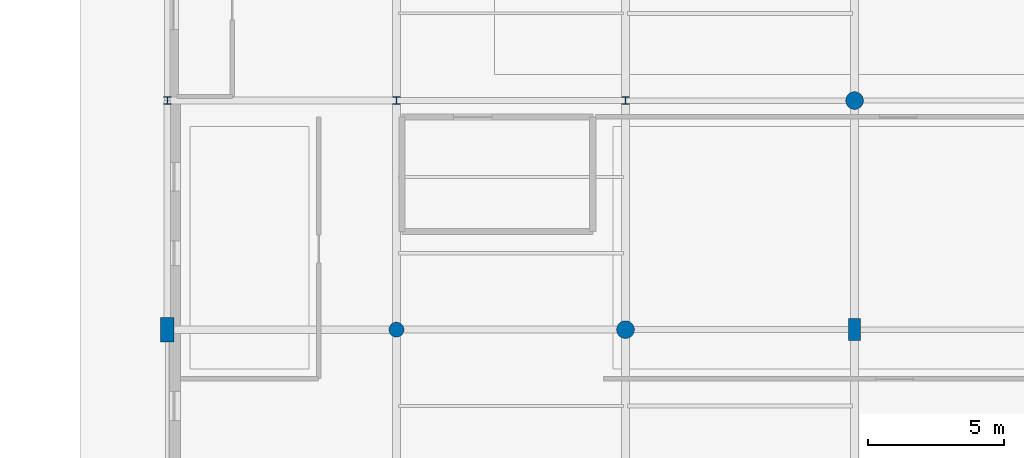
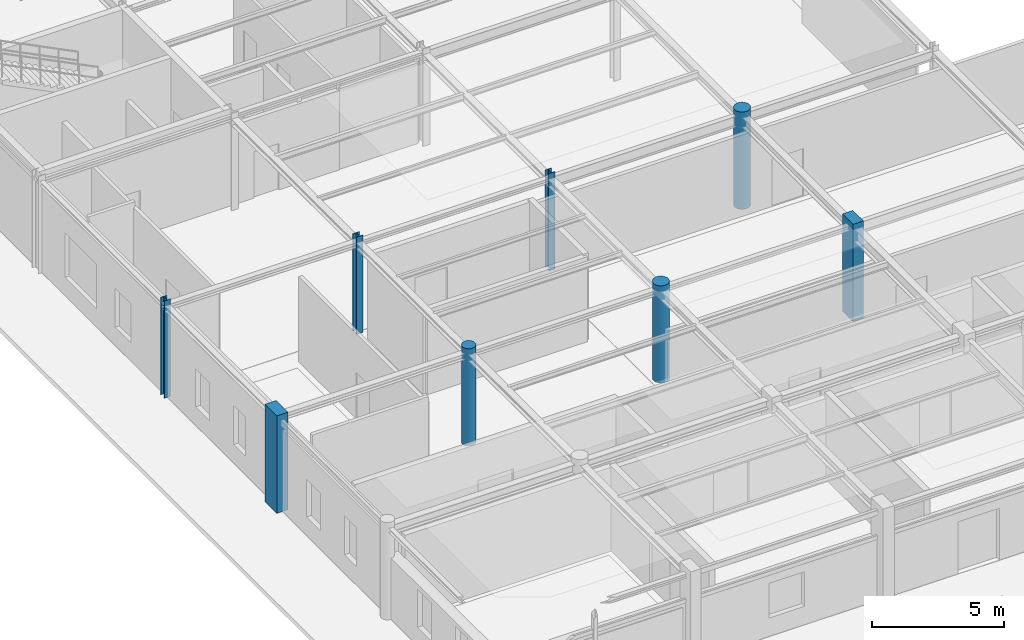
# One storey, part 3 of 101: 8 columns.
"""IFC4 building model written with IfcOpenShell, lengths in metres."""

import ifcopenshell
import ifcopenshell.guid

model = None  # the IFC model being written
_history = None  # IfcOwnerHistory: only IFC2X3 demands one
_inside = {}  # id of a spatial element -> (the spatial element, [elements in it])
_under = {}  # id of a project, library or spatial element -> (it, [spatial elements below it])
_declared = {}  # id of a project -> (the project, [libraries it declares])
_typed = {}  # id of a type object -> (the type object, [elements of that type])
_made_of = {}  # id of a material, layer set ... -> (it, [elements and type objects made of it])


def new_model(schema):
    """Start an empty IFC model of exactly this schema.

    Asked for "IFC4X3", IfcOpenShell would pick the latest addendum, in which some entities
    have other attributes; the version numbers below select the first issue.
    IFC2X3 requires an IfcOwnerHistory on every rooted entity: one is made here for all.
    """
    global model, _history
    if schema == "IFC4X3":
        model = ifcopenshell.file(schema_version=(4, 3, 0, 0))
    else:
        model = ifcopenshell.file(schema=schema)
    _inside.clear()
    _under.clear()
    _declared.clear()
    _typed.clear()
    _made_of.clear()
    _history = None
    if model.schema == "IFC2X3":
        org = make("IfcOrganization", Name="unknown")
        user = make(
            "IfcPersonAndOrganization",
            ThePerson=make("IfcPerson", FamilyName="unknown"),
            TheOrganization=org,
        )
        app = make(
            "IfcApplication",
            ApplicationDeveloper=org,
            Version="unknown",
            ApplicationFullName="unknown",
            ApplicationIdentifier="unknown",
        )
        _history = make(
            "IfcOwnerHistory",
            OwningUser=user,
            OwningApplication=app,
            ChangeAction="ADDED",
            CreationDate=0,
        )
    return model


def make(cls, **values):
    """One entity of the class cls with the attributes given. An attribute that is None is left unset."""
    return model.create_entity(
        cls, **{name: value for name, value in values.items() if value is not None}
    )


def rooted(cls, **values):
    """An entity with a GlobalId (a new one), such as an element, a storey or a relation."""
    return make(cls, GlobalId=ifcopenshell.guid.new(), OwnerHistory=_history, **values)


def si_unit(unit_type, name, prefix=None):
    """IfcSIUnit, for example si_unit("LENGTHUNIT", "METRE", prefix="MILLI")."""
    return make("IfcSIUnit", UnitType=unit_type, Prefix=prefix, Name=name)


def derived_unit(unit_type, elements):
    """IfcDerivedUnit: a product of units, each with its exponent."""
    return make(
        "IfcDerivedUnit",
        Elements=[
            make("IfcDerivedUnitElement", Unit=unit, Exponent=power)
            for unit, power in elements
        ],
        UnitType=unit_type,
    )


def assignment(units):
    """IfcUnitAssignment: the units of a project."""
    return None if units is None else make("IfcUnitAssignment", Units=units)


def point(xyz):
    """IfcCartesianPoint."""
    return None if xyz is None else make("IfcCartesianPoint", Coordinates=xyz)


def direction(xyz):
    """IfcDirection."""
    return None if xyz is None else make("IfcDirection", DirectionRatios=xyz)


def frame(location, z_axis=None, x_axis=None):
    """IfcAxis2Placement3D, a coordinate frame: its origin and axes. An axis left out is left unset."""
    return make(
        "IfcAxis2Placement3D",
        Location=point(location),
        Axis=direction(z_axis),
        RefDirection=direction(x_axis),
    )


def frame_2d(location, x_axis=None):
    """IfcAxis2Placement2D, a coordinate frame in the plane: its origin and x axis."""
    return make(
        "IfcAxis2Placement2D", Location=point(location), RefDirection=direction(x_axis)
    )


def origin():
    """The frame at (0, 0, 0) with its axes left unset."""
    return frame((0.0, 0.0, 0.0))


def origin_2d():
    """The frame at (0, 0) in the plane with its x axis left unset."""
    return frame_2d((0.0, 0.0))


def place(relative_to, where):
    """IfcLocalPlacement: puts the frame where relative to a parent placement (None: the world)."""
    return make(
        "IfcLocalPlacement", PlacementRelTo=relative_to, RelativePlacement=where
    )


def context(
    kind, dimensions, precision=None, world=None, true_north=None, identifier=None
):
    """IfcGeometricRepresentationContext, for example the 3D "Model" context."""
    return make(
        "IfcGeometricRepresentationContext",
        ContextIdentifier=identifier,
        ContextType=kind,
        CoordinateSpaceDimension=dimensions,
        Precision=precision,
        WorldCoordinateSystem=world,
        TrueNorth=true_north,
    )


def subcontext(parent, identifier, kind, view, scale=None):
    """IfcGeometricRepresentationSubContext, for example "Body" below "Model"."""
    return make(
        "IfcGeometricRepresentationSubContext",
        ContextIdentifier=identifier,
        ContextType=kind,
        ParentContext=parent,
        TargetScale=scale,
        TargetView=view,
    )


def project(units=None, contexts=None):
    """IfcProject with its units and contexts."""
    return rooted(
        "IfcProject",
        Name="project",
        RepresentationContexts=contexts,
        UnitsInContext=assignment(units),
    )


def spatial(cls, under=None, at=None, **own):
    """A site, building, storey or space (cls), placed at a placement, below another one or the project."""
    s = rooted(cls, ObjectPlacement=at, **own)
    if under is not None:
        _under.setdefault(under.id(), (under, []))[1].append(s)
    return s


def profile(cls, at=None, kind="AREA", **sizes):
    """A parametric profile (cls). Its sizes go by their IFC names, for example OverallWidth=200.0."""
    return make(cls, ProfileType=kind, Position=at, **sizes)


def rectangle(**sizes):
    """IfcRectangleProfileDef."""
    return profile("IfcRectangleProfileDef", **sizes)


def circle(**sizes):
    """IfcCircleProfileDef."""
    return profile("IfcCircleProfileDef", **sizes)


def i_section(**sizes):
    """IfcIShapeProfileDef."""
    return profile("IfcIShapeProfileDef", **sizes)


def extrude(swept, where, along, depth):
    """IfcExtrudedAreaSolid: the profile swept, set in the frame where, extruded along a direction by depth."""
    return make(
        "IfcExtrudedAreaSolid",
        SweptArea=swept,
        Position=where,
        ExtrudedDirection=direction(along),
        Depth=depth,
    )


def shape(context_of_items, identifier, shape_type, items):
    """IfcShapeRepresentation: the items that make up one representation, for example the "Body"."""
    return make(
        "IfcShapeRepresentation",
        ContextOfItems=context_of_items,
        RepresentationIdentifier=identifier,
        RepresentationType=shape_type,
        Items=items,
    )


def material(Name=None, Category=None):
    """IfcMaterial."""
    return make("IfcMaterial", Name=Name, Category=Category)


def material_profile(
    of_material, cross_section, Name=None, Category=None, Priority=None
):
    """IfcMaterialProfile: a cross section and its material."""
    return make(
        "IfcMaterialProfile",
        Name=Name,
        Material=of_material,
        Profile=cross_section,
        Priority=Priority,
        Category=Category,
    )


def profile_set(profiles, Name=None, composite=None):
    """IfcMaterialProfileSet."""
    return make(
        "IfcMaterialProfileSet",
        Name=Name,
        MaterialProfiles=profiles,
        CompositeProfile=composite,
    )


def made_of(thing, what):
    """Note that an element or type object is made of a material, layer set ...; save() writes the relation."""
    if what is not None:
        _made_of.setdefault(what.id(), (what, []))[1].append(thing)
    return thing


def type_object(cls, material=None, **own):
    """A type object (cls), such as IfcWallType, which elements share."""
    return made_of(rooted(cls, **own), material)


def element(
    cls,
    number,
    at=None,
    inside=None,
    cuts=None,
    type_object=None,
    material=None,
    context=None,
    identifier="Body",
    shape_type=None,
    held_by="IfcProductDefinitionShape",
    body=None,
    shapes=None,
    **own,
):
    """One element of the class cls, such as IfcWall. Its Tag is "e" and its number.

    at: its placement. inside: the storey or other place that contains it. cuts: it is an
    opening in that element (IfcRelVoidsElement). A single representation is given by context,
    identifier, shape_type and body (its items); several are given by shapes. held_by: the class
    of the entity that holds the representations. save() writes the other relations.
    """
    e = rooted(cls, Tag="e%d" % number, ObjectPlacement=at, **own)
    if body is not None:
        shapes = [shape(context, identifier, shape_type, body)]
    if shapes is not None:
        e.Representation = make(held_by, Representations=shapes)
    if inside is not None:
        _inside.setdefault(inside.id(), (inside, []))[1].append(e)
    if cuts is not None:
        rooted(
            "IfcRelVoidsElement", RelatingBuildingElement=cuts, RelatedOpeningElement=e
        )
    if type_object is not None:
        _typed.setdefault(type_object.id(), (type_object, []))[1].append(e)
    return made_of(e, material)


def aggregate(whole, parts):
    """IfcRelAggregates: a whole, such as a stair, and the parts it consists of."""
    return rooted("IfcRelAggregates", RelatingObject=whole, RelatedObjects=parts)


def save(model, path):
    """Write the relations noted so far, then the file.

    IfcRelAggregates (storeys below a building ...), IfcRelContainedInSpatialStructure (elements
    in a storey), IfcRelDefinesByType, IfcRelAssociatesMaterial and IfcRelDeclares: one each for
    every whole, place, type object, material and project.
    """
    for whole, parts in _under.values():
        aggregate(whole, parts)
    for where, things in _inside.values():
        rooted(
            "IfcRelContainedInSpatialStructure",
            RelatedElements=things,
            RelatingStructure=where,
        )
    for kind, things in _typed.values():
        rooted("IfcRelDefinesByType", RelatedObjects=things, RelatingType=kind)
    for what, things in _made_of.values():
        rooted("IfcRelAssociatesMaterial", RelatedObjects=things, RelatingMaterial=what)
    for by, libraries in _declared.values():
        rooted("IfcRelDeclares", RelatingContext=by, RelatedDefinitions=libraries)
    model.write(path)


model = new_model("IFC4")

# Units and contexts
model_context = context("Model", 3, precision=1e-05, world=origin(), true_north=direction((0.0, 1.0)))
body_context = subcontext(model_context, "Body", "Model", "MODEL_VIEW")
ifc_project = project(units=[si_unit("LENGTHUNIT", "METRE"), si_unit("AREAUNIT", "SQUARE_METRE"), si_unit("VOLUMEUNIT", "CUBIC_METRE"), si_unit("PLANEANGLEUNIT", "RADIAN"), si_unit("MASSUNIT", "GRAM", prefix="KILO"), derived_unit("THERMALTRANSMITTANCEUNIT", [(si_unit("POWERUNIT", "WATT"), 1), (si_unit("AREAUNIT", "SQUARE_METRE"), -1), (si_unit("THERMODYNAMICTEMPERATUREUNIT", "KELVIN"), -1)])], contexts=[model_context])

# Site, building, storey
site_placement = place(None, origin())
site = spatial("IfcSite", under=ifc_project, at=site_placement, CompositionType="ELEMENT")
building_placement = place(site_placement, origin())
building = spatial("IfcBuilding", under=site, at=building_placement, Name="Yasenodar Specialist Clinic", CompositionType="ELEMENT")
storey_placement = place(building_placement, origin())
storey = spatial("IfcBuildingStorey", under=building, at=storey_placement, Name="L00", CompositionType="ELEMENT", Elevation=0.0)

# Columns
ifc_material_1 = material(Name="Concrete C35/45", Category="concrete")
ifc_material_profile_1 = material_profile(ifc_material_1, rectangle(XDim=0.449951171875, YDim=0.800048828125, at=origin_2d()), Name="RC 450x800")
ifc_profile_set_1 = profile_set([ifc_material_profile_1], Name="Concrete C35/45")
column_type_1 = type_object("IfcColumnType", Name="COL-RC-450x800", PredefinedType="COLUMN", material=ifc_profile_set_1)
column_1_placement = place(storey_placement, frame((25.199951171875, 16.800048828125, 0.0), z_axis=(0.0, 0.0, 1.0), x_axis=(1.0, 0.0, 0.0)))
element("IfcColumn", 1, at=column_1_placement, inside=storey, type_object=column_type_1, Name="L00 Column V2-048", PredefinedType="COLUMN", context=body_context, shape_type="SweptSolid", body=[
    extrude(rectangle(XDim=0.449951171875, YDim=0.800048828125, at=origin_2d()), origin(), (0.0, 0.0, 1.0), 4.5),
])
ifc_material_profile_2 = material_profile(ifc_material_1, rectangle(XDim=0.5, YDim=0.89990234375, at=origin_2d()), Name="RC 500x900")
ifc_profile_set_2 = profile_set([ifc_material_profile_2], Name="Concrete C35/45")
column_type_2 = type_object("IfcColumnType", Name="COL-RC-500x900", PredefinedType="COLUMN", material=ifc_profile_set_2)
column_2_placement = place(storey_placement, frame((0.0, 16.800048828125, 0.0), z_axis=(0.0, 0.0, 1.0), x_axis=(1.0, 0.0, 0.0)))
element("IfcColumn", 2, at=column_2_placement, inside=storey, type_object=column_type_2, Name="L00 Column V2-003", PredefinedType="COLUMN", context=body_context, shape_type="SweptSolid", body=[
    extrude(rectangle(XDim=0.5, YDim=0.89990234375, at=origin_2d()), origin(), (0.0, 0.0, 1.0), 4.5),
])
ifc_material_profile_3 = material_profile(ifc_material_1, circle(Radius=0.27490234375, at=origin_2d()), Name="RC D550")
ifc_profile_set_3 = profile_set([ifc_material_profile_3], Name="Concrete C35/45")
column_type_3 = type_object("IfcColumnType", Name="COL-RC-D550", PredefinedType="COLUMN", material=ifc_profile_set_3)
column_3_placement = place(storey_placement, frame((8.39990234375, 16.800048828125, 0.0), z_axis=(0.0, 0.0, 1.0), x_axis=(1.0, 0.0, 0.0)))
element("IfcColumn", 3, at=column_3_placement, inside=storey, type_object=column_type_3, Name="L00 Column V2-018", PredefinedType="COLUMN", context=body_context, shape_type="SweptSolid", body=[
    extrude(circle(Radius=0.27490234375, at=origin_2d()), origin(), (0.0, 0.0, 1.0), 4.5),
])
ifc_material_profile_4 = material_profile(ifc_material_1, circle(Radius=0.324951171875, at=origin_2d()), Name="RC D650")
ifc_profile_set_4 = profile_set([ifc_material_profile_4], Name="Concrete C35/45")
column_type_4 = type_object("IfcColumnType", Name="COL-RC-D650", PredefinedType="COLUMN", material=ifc_profile_set_4)
for number, where, z_axis, x_axis, name in (
    (4, (16.800048828125, 16.800048828125, 0.0), (0.0, 0.0, 1.0), (1.0, 0.0, 0.0), "L00 Column V2-033"),
    (5, (25.199951171875, 25.199951171875, 0.0), (0.0, 0.0, 1.0), (1.0, 0.0, 0.0), "L00 Column V2-049"),
):
    element("IfcColumn", number, at=place(storey_placement, frame(where, z_axis=z_axis, x_axis=x_axis)), inside=storey, type_object=column_type_4, Name=name, PredefinedType="COLUMN", context=body_context, shape_type="SweptSolid", body=[
        extrude(circle(Radius=0.324951171875, at=origin_2d()), origin(), (0.0, 0.0, 1.0), 4.5),
    ])
ifc_material_2 = material(Name="Steel S355", Category="steel")
ifc_material_profile_5 = material_profile(ifc_material_2, i_section(OverallWidth=0.280029296875, OverallDepth=0.280029296875, WebThickness=0.010498046875, FlangeThickness=0.01806640625, FilletRadius=0.02392578125, at=origin_2d()), Name="HEB 280")
ifc_profile_set_5 = profile_set([ifc_material_profile_5], Name="Steel S355")
column_type_5 = type_object("IfcColumnType", Name="COL-ST-HEB280", PredefinedType="COLUMN", material=ifc_profile_set_5)
for number, where, z_axis, x_axis, name in (
    (6, (0.0, 25.199951171875, 0.0), (0.0, 0.0, 1.0), (1.0, 0.0, 0.0), "L00 Column V4-004"),
    (7, (8.39990234375, 25.199951171875, 0.0), (0.0, 0.0, 1.0), (1.0, 0.0, 0.0), "L00 Column V4-019"),
    (8, (16.800048828125, 25.199951171875, 0.0), (0.0, 0.0, 1.0), (1.0, 0.0, 0.0), "L00 Column V4-034"),
):
    element("IfcColumn", number, at=place(storey_placement, frame(where, z_axis=z_axis, x_axis=x_axis)), inside=storey, type_object=column_type_5, Name=name, PredefinedType="COLUMN", context=body_context, shape_type="SweptSolid", body=[
        extrude(i_section(OverallWidth=0.280029296875, OverallDepth=0.280029296875, WebThickness=0.010498046875, FlangeThickness=0.01806640625, FilletRadius=0.02392578125, at=origin_2d()), origin(), (0.0, 0.0, 1.0), 4.5),
    ])

save(model, "model.ifc")
